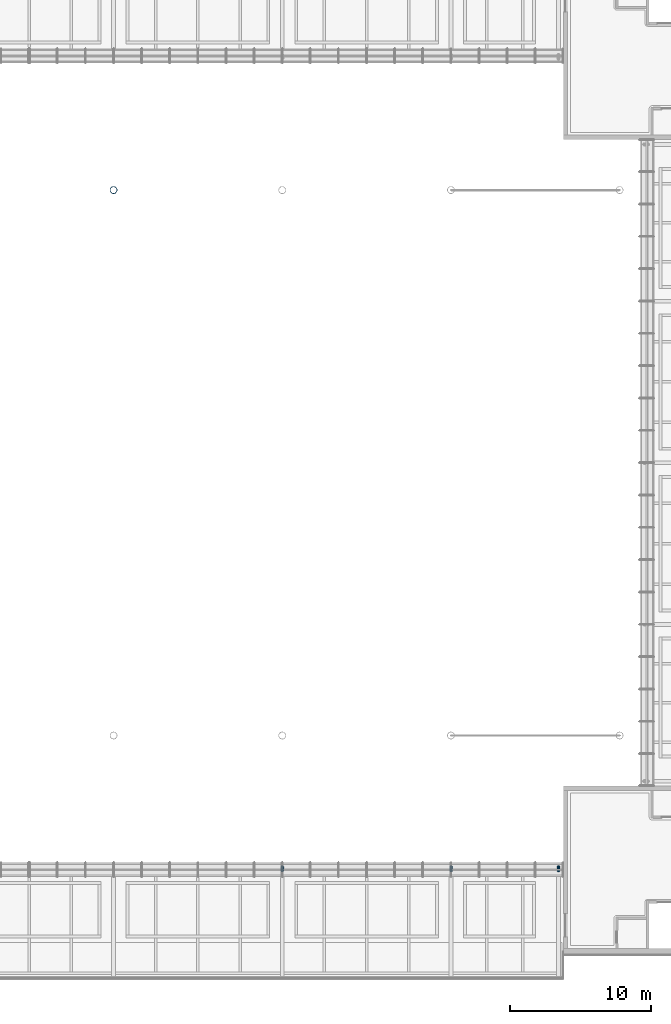
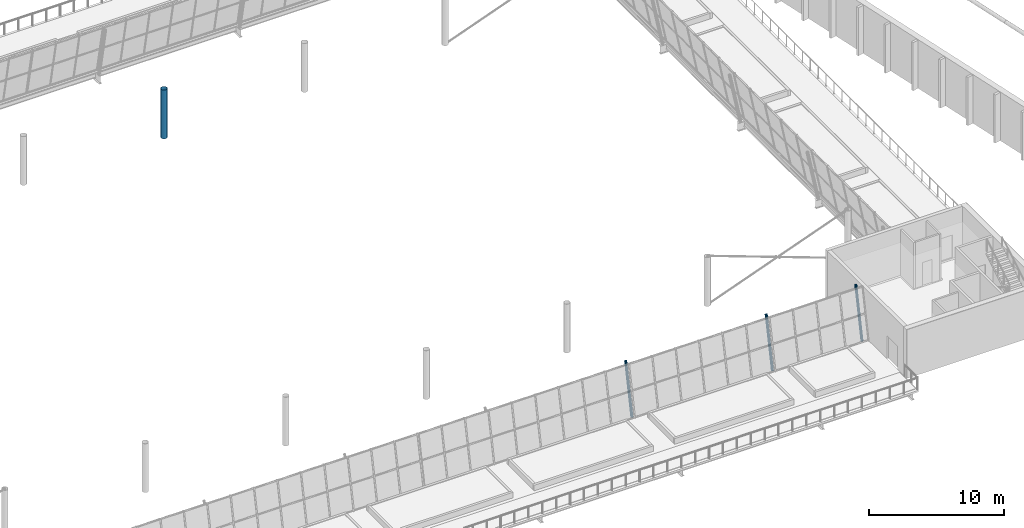
# One storey, part 3 of 58: 4 columns.
"""IFC4 building model written with IfcOpenShell, lengths in metres."""

from ifc_helpers import new_model, si_unit, direction, frame, origin, origin_2d, place, context, subcontext, project, spatial, hollow_circle, extrude, material, material_profile, profile_set, type_object, element, save


model = new_model("IFC4")

# Units and contexts
model_context = context("Model", 3, precision=1e-05, world=origin(), true_north=direction((0.0, 1.0)))
body_context = subcontext(model_context, "Body", "Model", "MODEL_VIEW")
ifc_project = project(units=[si_unit("LENGTHUNIT", "METRE"), si_unit("AREAUNIT", "SQUARE_METRE"), si_unit("VOLUMEUNIT", "CUBIC_METRE"), si_unit("PLANEANGLEUNIT", "RADIAN"), si_unit("MASSUNIT", "GRAM", prefix="KILO")], contexts=[model_context])

# Site, building, storey
site_placement = place(None, origin())
site = spatial("IfcSite", under=ifc_project, at=site_placement, CompositionType="ELEMENT")
building_placement = place(site_placement, origin())
building = spatial("IfcBuilding", under=site, at=building_placement, Name="Windward Yard Aquatics Centre", CompositionType="ELEMENT")
storey_placement = place(building_placement, frame((0.0, 0.0, 13.800048828125)))
storey = spatial("IfcBuildingStorey", under=building, at=storey_placement, Name="L03", CompositionType="ELEMENT", Elevation=13.800048828125)

# Columns
ifc_material = material(Name="Steel ASTM A500 Gr C", Category="steel")
ifc_material_profile_1 = material_profile(ifc_material, hollow_circle(Radius=0.25390625, WallThickness=0.015869140625, at=origin_2d()), Name="HSS508X15.9")
ifc_profile_set_1 = profile_set([ifc_material_profile_1], Name="Steel ASTM A500 Gr C")
column_type_1 = type_object("IfcColumnType", Name="H arch column HSS508X15.9", PredefinedType="COLUMN", material=ifc_profile_set_1)
column_placement = place(storey_placement, frame((108.0, 80.39990234375, 0.0), z_axis=(0.0, 0.0, 1.0), x_axis=(1.0, 0.0, 0.0)))
element("IfcColumn", 1, at=column_placement, inside=storey, type_object=column_type_1, Name="H.AC.N5.L03", PredefinedType="COLUMN", context=body_context, shape_type="SweptSolid", body=[
    extrude(hollow_circle(Radius=0.25390625, WallThickness=0.015869140625, at=origin_2d()), origin(), (0.0, 0.0, 1.0), 4.39990234375),
])
ifc_material_profile_2 = material_profile(ifc_material, hollow_circle(Radius=0.109619140625, WallThickness=0.0126953125, at=origin_2d()), Name="HSS219.1X12.7")
ifc_profile_set_2 = profile_set([ifc_material_profile_2], Name="Steel ASTM A500 Gr C")
column_type_2 = type_object("IfcColumnType", Name="H tier 2 leg HSS219.1X12.7", PredefinedType="COLUMN", material=ifc_profile_set_2)
for number, where, z_axis, x_axis, name in (
    (2, (120.0, 31.983642578125, -0.128173828125), (0.0, 0.199346128659, 0.9799291408), (-1.0, 0.0, 0.0), "H.TL.S6.T2A.L03"),
    (3, (132.0, 31.983642578125, -0.128173828125), (0.0, 0.199346128659, 0.9799291408), (-1.0, 0.0, 0.0), "H.TL.S7.T2A.L03"),
    (4, (139.64990234375, 31.983642578125, -0.128173828125), (0.0, 0.199346128659, 0.9799291408), (-1.0, 0.0, 0.0), "H.TL.S8.T2A.L03"),
):
    element("IfcColumn", number, at=place(storey_placement, frame(where, z_axis=z_axis, x_axis=x_axis)), inside=storey, type_object=column_type_2, Name=name, PredefinedType="COLUMN", context=body_context, shape_type="SweptSolid", body=[
        extrude(hollow_circle(Radius=0.109619140625, WallThickness=0.0126953125, at=origin_2d()), origin(), (0.0, 0.0, 1.0), 4.620849609375),
    ])

save(model, "model.ifc")
